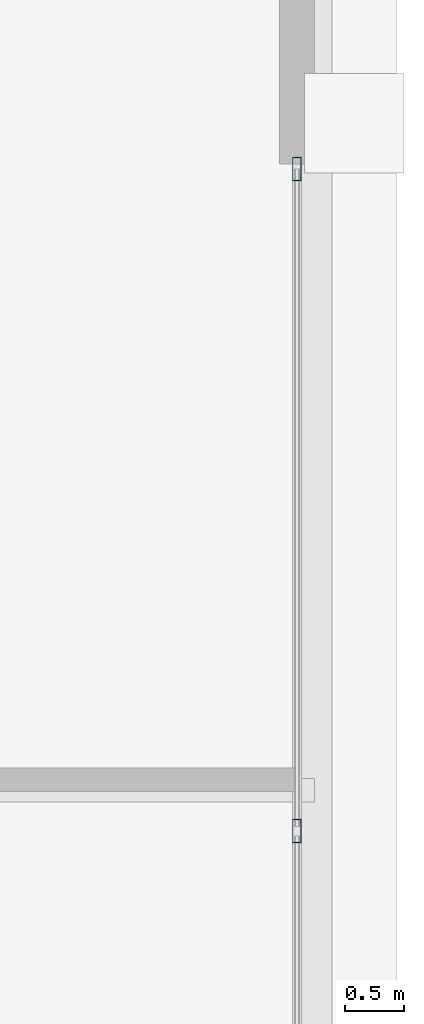
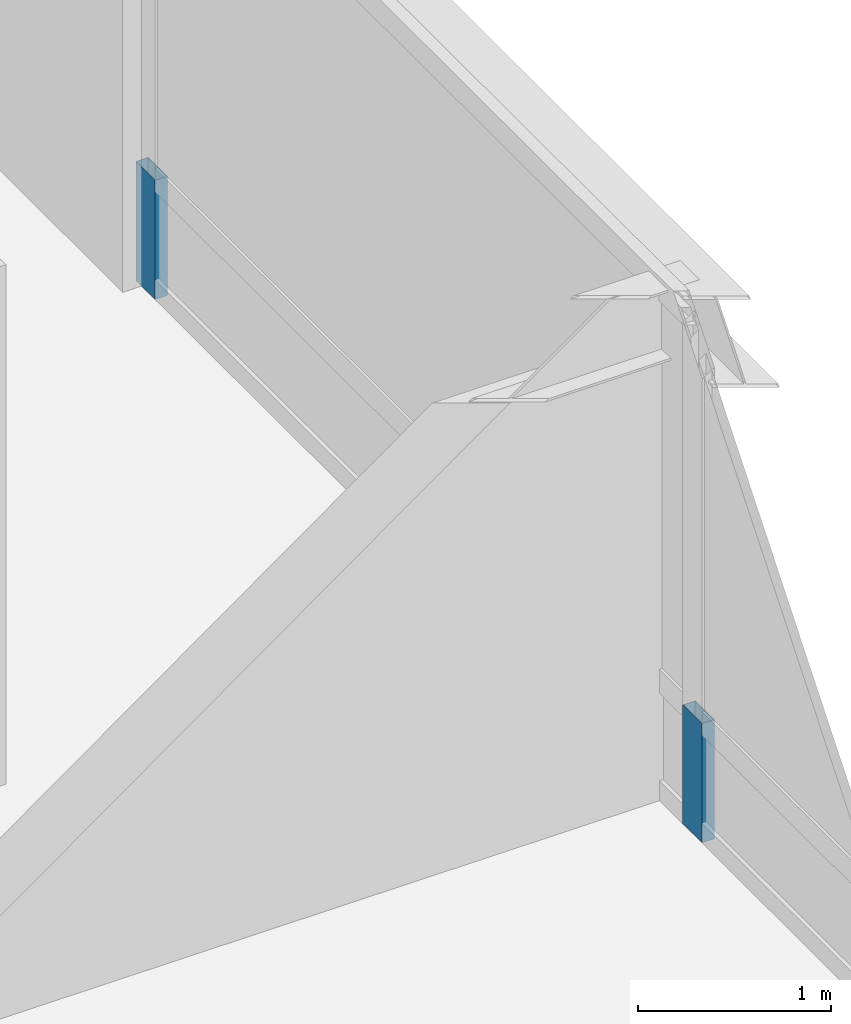
# One storey, part 26 of 35: 2 members, 1 element without a shape of its own.
"""IFC4 building model written with IfcOpenShell, lengths in metres."""

from ifc_helpers import new_model, si_unit, direction, frame, origin, origin_2d, place, context, subcontext, project, spatial, hollow_rectangle, extrude, source, transform, mapped, material, layer, layer_set, material_profile, profile_set, type_object, element, aggregate, save


model = new_model("IFC4")

# Units and contexts
model_context = context("Model", 3, precision=1e-05, world=origin(), true_north=direction((0.0, 1.0)))
body_context = subcontext(model_context, "Body", "Model", "MODEL_VIEW")
ifc_project = project(units=[si_unit("LENGTHUNIT", "METRE"), si_unit("AREAUNIT", "SQUARE_METRE"), si_unit("VOLUMEUNIT", "CUBIC_METRE"), si_unit("PLANEANGLEUNIT", "RADIAN"), si_unit("MASSUNIT", "GRAM", prefix="KILO"), si_unit("THERMODYNAMICTEMPERATUREUNIT", "KELVIN"), si_unit("POWERUNIT", "WATT")], contexts=[model_context])

# Site, building, storey
site_placement = place(None, origin())
site = spatial("IfcSite", under=ifc_project, at=site_placement, CompositionType="ELEMENT")
building_placement = place(site_placement, origin())
building = spatial("IfcBuilding", under=site, at=building_placement, Name="Yuzanri Waterfront Tower", CompositionType="ELEMENT")
storey_placement = place(building_placement, frame((0.0, 0.0, 311.199951171875)))
storey = spatial("IfcBuildingStorey", under=building, at=storey_placement, Name="L83", CompositionType="ELEMENT", Elevation=311.199951171875)

# Curtain wall, members
ifc_material_1 = material(Name="Anodized Architectural Bronze", Category="metal")
ifc_layer = layer(ifc_material_1, 0.159912109375)
ifc_layer_set = layer_set([ifc_layer], Name="Anodized Architectural Bronze")
curtain_wall_type = type_object("IfcCurtainWallType", Name="Anodized Bronze High-Rise Penthouse High-Wind Unitized Curtain Wall 6900", PredefinedType="NOTDEFINED", material=ifc_layer_set)
curtain_wall_placement = place(storey_placement, origin())
curtain_wall = element("IfcCurtainWall", 1, at=curtain_wall_placement, inside=storey, type_object=curtain_wall_type, Name="L83 Curtain Wall CW-L83-ER", PredefinedType="NOTDEFINED")
ifc_material_2 = material(Name="Anodized Architectural Bronze", Category="metal")
ifc_material_profile = material_profile(ifc_material_2, hollow_rectangle(XDim=0.074951171875, YDim=0.199951171875, WallThickness=0.00390625, at=origin_2d()), Name="CWM 75x200")
ifc_profile_set = profile_set([ifc_material_profile], Name="Anodized Architectural Bronze")
member_type = type_object("IfcMemberType", Name="Anodized Bronze Primary Curtain-Wall Mullion 75x200", PredefinedType="MULLION", material=ifc_profile_set)
shared_shape = source(origin(), body_context, "Body", "SweptSolid", [
    extrude(hollow_rectangle(XDim=0.074951171875, YDim=0.199951171875, WallThickness=0.00390625, at=origin_2d()), origin(), (0.0, 0.0, 1.0), 0.751953125),
])
member_1_placement = place(storey_placement, frame((55.949951171875, 31.85009765625, 0.0), z_axis=(0.0, 0.0, 1.0), x_axis=(1.0, 0.0, 0.0)))
member_1 = element("IfcMember", 2, at=member_1_placement, type_object=member_type, Name="CW-L83-ER Lower Mullion 01", PredefinedType="MULLION", context=body_context, shape_type="MappedRepresentation", body=[
    mapped(shared_shape, transform((0.0, 0.0, 0.0), scale=1.0)),
])
member_2_placement = place(storey_placement, frame((55.949951171875, 37.510009765625, 0.0), z_axis=(0.0, 0.0, 1.0), x_axis=(1.0, 0.0, 0.0)))
member_2 = element("IfcMember", 3, at=member_2_placement, type_object=member_type, Name="CW-L83-ER Lower Mullion 02", PredefinedType="MULLION", context=body_context, shape_type="MappedRepresentation", body=[
    mapped(shared_shape, transform((0.0, 0.0, 0.0), scale=1.0)),
])
aggregate(curtain_wall, [member_1, member_2])

save(model, "model.ifc")
